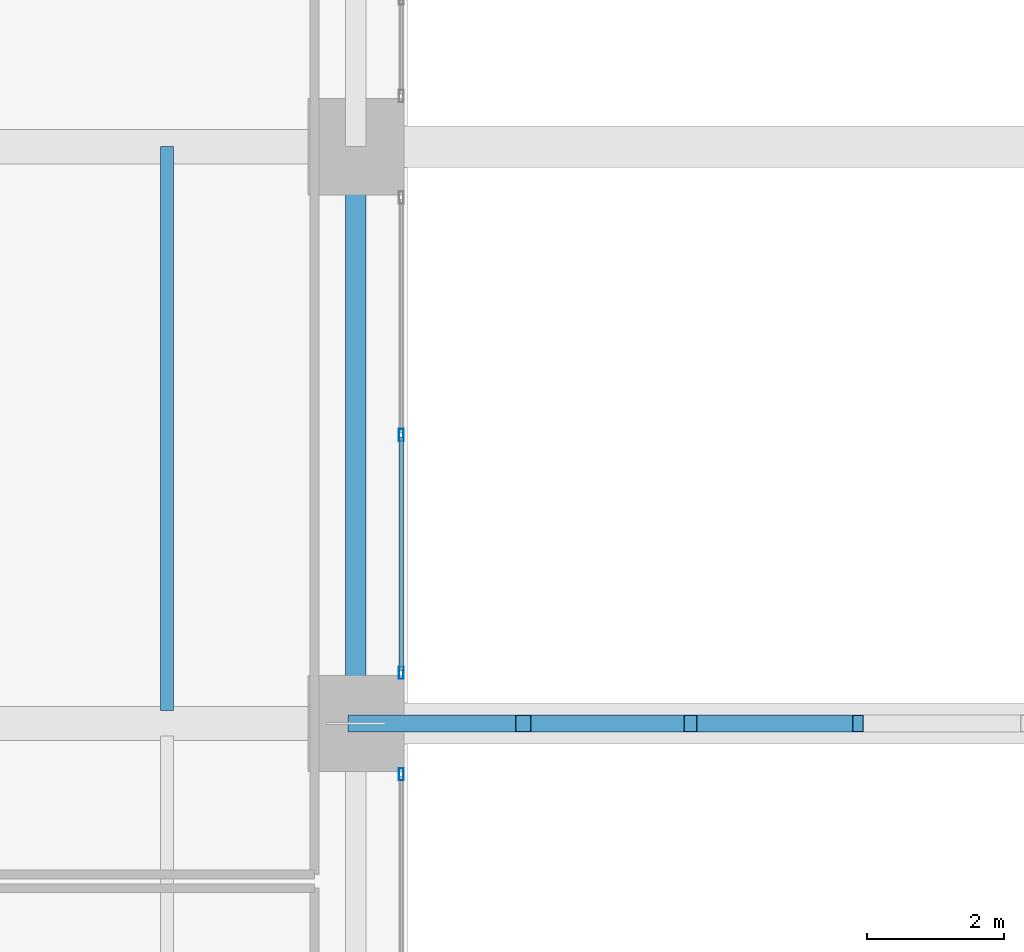
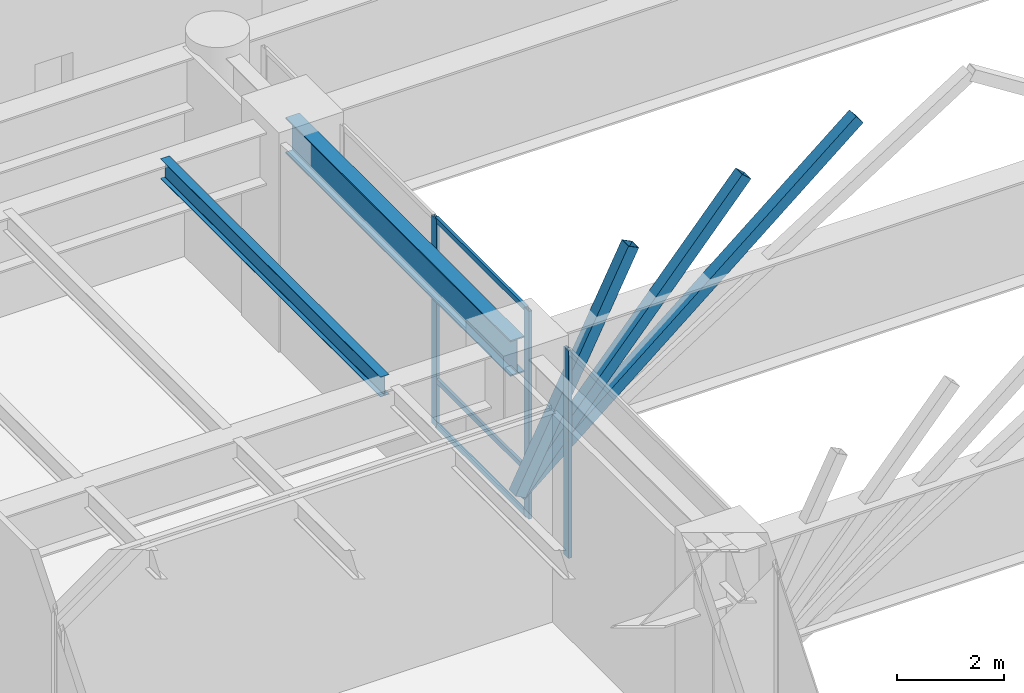
# One storey, part 11 of 39: 9 members, 2 beams, 2 elements without a shape of their own.
"""IFC4 building model written with IfcOpenShell, lengths in metres."""

from ifc_helpers import new_model, si_unit, direction, frame, origin, origin_2d, place, context, subcontext, project, spatial, hollow_rectangle, i_section, extrude, source, transform, mapped, material, layer, layer_set, material_profile, profile_set, type_object, type_shapes, element, aggregate, save


model = new_model("IFC4")

# Units and contexts
model_context = context("Model", 3, precision=1e-05, world=origin(), true_north=direction((0.0, 1.0)))
body_context = subcontext(model_context, "Body", "Model", "MODEL_VIEW")
ifc_project = project(units=[si_unit("LENGTHUNIT", "METRE"), si_unit("AREAUNIT", "SQUARE_METRE"), si_unit("VOLUMEUNIT", "CUBIC_METRE"), si_unit("PLANEANGLEUNIT", "RADIAN"), si_unit("MASSUNIT", "GRAM", prefix="KILO")], contexts=[model_context])

# Site, building, storey
site_placement = place(None, origin())
site = spatial("IfcSite", under=ifc_project, at=site_placement, CompositionType="ELEMENT")
building_placement = place(site_placement, origin())
building = spatial("IfcBuilding", under=site, at=building_placement, Name="Tolvann Quenvar Hotel", CompositionType="ELEMENT")
storey_placement = place(building_placement, frame((0.0, 0.0, 11.0)))
storey = spatial("IfcBuildingStorey", under=building, at=storey_placement, Name="L02", CompositionType="ELEMENT", Elevation=11.0)

# Beams
ifc_material_1 = material(Name="Steel Grade 350", Category="steel")
ifc_material_profile_1 = material_profile(ifc_material_1, i_section(OverallWidth=0.300048828125, OverallDepth=0.81591796875, WebThickness=0.010009765625, FlangeThickness=0.028076171875, at=origin_2d()), Name="800WB192")
ifc_profile_set_1 = profile_set([ifc_material_profile_1], Name="Steel Grade 350")
beam_type_1 = type_object("IfcBeamType", Name="BM_GIRD_800WB192", PredefinedType="BEAM", material=ifc_profile_set_1)
shared_shape_1 = source(origin(), body_context, "Body", "SweptSolid", [
    extrude(i_section(OverallWidth=0.300048828125, OverallDepth=0.81591796875, WebThickness=0.010009765625, FlangeThickness=0.028076171875, at=origin_2d()), origin(), (0.0, 0.0, 1.0), 8.39990234375),
])
type_shapes(beam_type_1, [shared_shape_1])
beam_1_placement = place(storey_placement, frame((18.75, 16.0, 4.33203125), z_axis=(0.0, 1.0, 0.0), x_axis=(-1.0, 0.0, 0.0)))
element("IfcBeam", 1, at=beam_1_placement, inside=storey, type_object=beam_type_1, Name="BM-L02-NS-APW-2", PredefinedType="BEAM", context=body_context, shape_type="MappedRepresentation", body=[
    mapped(shared_shape_1, transform((0.0, 0.0, 0.0), x_axis=(1.0, 0.0, 0.0), y_axis=(0.0, 1.0, 0.0), z_axis=(0.0, 0.0, 1.0), scale=1.0)),
])
ifc_material_profile_2 = material_profile(ifc_material_1, i_section(OverallWidth=0.18994140625, OverallDepth=0.4541015625, WebThickness=0.008544921875, FlangeThickness=0.0126953125, FilletRadius=0.011474609375, at=origin_2d()), Name="460UB67")
ifc_profile_set_2 = profile_set([ifc_material_profile_2], Name="Steel Grade 350")
beam_type_2 = type_object("IfcBeamType", Name="BM_JOIST_460UB67", PredefinedType="JOIST", material=ifc_profile_set_2)
shared_shape_2 = source(origin(), body_context, "Body", "SweptSolid", [
    extrude(i_section(OverallWidth=0.18994140625, OverallDepth=0.4541015625, WebThickness=0.008544921875, FlangeThickness=0.0126953125, FilletRadius=0.011474609375, at=origin_2d()), origin(), (0.0, 0.0, 1.0), 8.21484375),
])
type_shapes(beam_type_2, [shared_shape_2])
beam_2_placement = place(storey_placement, frame((16.0, 16.18505859375, 4.512939453125), z_axis=(0.0, 1.0, 0.0), x_axis=(-1.0, 0.0, 0.0)))
element("IfcBeam", 2, at=beam_2_placement, inside=storey, type_object=beam_type_2, Name="BJ-L02-160-160", PredefinedType="JOIST", context=body_context, shape_type="MappedRepresentation", body=[
    mapped(shared_shape_2, transform((0.0, 0.0, 0.0), x_axis=(1.0, 0.0, 0.0), y_axis=(0.0, 1.0, 0.0), z_axis=(0.0, 0.0, 1.0), scale=1.0)),
])

# Members
ifc_material_2 = material(Name="Steel Grade 450 (C450L0)", Category="steel")
ifc_material_profile_3 = material_profile(ifc_material_2, hollow_rectangle(XDim=0.25, YDim=0.25, WallThickness=0.010009765625, at=origin_2d()), Name="250x250x10SHS")
ifc_profile_set_3 = profile_set([ifc_material_profile_3], Name="Steel Grade 450 (C450L0)")
member_type_1 = type_object("IfcMemberType", Name="MEM_POST_250SHS", PredefinedType="POST", material=ifc_profile_set_3)
shared_shape_3 = source(origin(), body_context, "Body", "SweptSolid", [
    extrude(hollow_rectangle(XDim=0.25, YDim=0.25, WallThickness=0.010009765625, at=origin_2d()), origin(), (0.0, 0.0, 1.0), 5.42822265625),
])
member_1_placement = place(storey_placement, frame((18.75, 16.0, 1.199951171875), z_axis=(0.449047704996, 0.0, 0.893507783199), x_axis=(0.0, 1.0, 0.0)))
element("IfcMember", 3, at=member_1_placement, inside=storey, type_object=member_type_1, Name="Arch Radial Support Strut F3-K1", PredefinedType="POST", context=body_context, shape_type="MappedRepresentation", body=[
    mapped(shared_shape_3, transform((0.0, 0.0, 0.0), x_axis=(1.0, 0.0, 0.0), y_axis=(0.0, 1.0, 0.0), z_axis=(0.0, 0.0, 1.0), scale=1.0)),
])
shared_shape_4 = source(origin(), body_context, "Body", "SweptSolid", [
    extrude(hollow_rectangle(XDim=0.25, YDim=0.25, WallThickness=0.010009765625, at=origin_2d()), origin(), (0.0, 0.0, 1.0), 7.4248046875),
])
member_2_placement = place(storey_placement, frame((18.75, 16.0, 1.199951171875), z_axis=(0.656588918044, 0.0, 0.754248627909), x_axis=(0.0, 1.0, 0.0)))
element("IfcMember", 4, at=member_2_placement, inside=storey, type_object=member_type_1, Name="Arch Radial Support Strut F3-K2", PredefinedType="POST", context=body_context, shape_type="MappedRepresentation", body=[
    mapped(shared_shape_4, transform((0.0, 0.0, 0.0), x_axis=(1.0, 0.0, 0.0), y_axis=(0.0, 1.0, 0.0), z_axis=(0.0, 0.0, 1.0), scale=1.0)),
])
shared_shape_5 = source(origin(), body_context, "Body", "SweptSolid", [
    extrude(hollow_rectangle(XDim=0.25, YDim=0.25, WallThickness=0.010009765625, at=origin_2d()), origin(), (0.0, 0.0, 1.0), 9.49072265625),
])
type_shapes(member_type_1, [shared_shape_3, shared_shape_4, shared_shape_5])
member_3_placement = place(storey_placement, frame((18.75, 16.0, 1.199951171875), z_axis=(0.770481016294, 0.0, 0.637462942868), x_axis=(0.0, 1.0, 0.0)))
element("IfcMember", 5, at=member_3_placement, inside=storey, type_object=member_type_1, Name="Arch Radial Support Strut F3-K3", PredefinedType="POST", context=body_context, shape_type="MappedRepresentation", body=[
    mapped(shared_shape_5, transform((0.0, 0.0, 0.0), x_axis=(1.0, 0.0, 0.0), y_axis=(0.0, 1.0, 0.0), z_axis=(0.0, 0.0, 1.0), scale=1.0)),
])

# Curtain wall, members
ifc_material_3 = material(Name="Thermally broken anodised architectural aluminium 6063-T6 and laminated low-E glass", Category="aluminium")
ifc_layer = layer(ifc_material_3, 0.179931640625)
ifc_layer_set = layer_set([ifc_layer], Name="Thermally broken anodised architectural aluminium 6063-T6 and laminated low-E glass")
curtain_wall_type = type_object("IfcCurtainWallType", Name="CW_SYS_ARCH_01", PredefinedType="USERDEFINED", material=ifc_layer_set)
curtain_wall_1_placement = place(storey_placement, origin())
curtain_wall_1 = element("IfcCurtainWall", 6, at=curtain_wall_1_placement, inside=storey, type_object=curtain_wall_type, Name="Curtain Wall CW-ARCH-01 (CWR-L02-E01-S4)", ObjectType="UNITISED CURTAIN WALL", PredefinedType="USERDEFINED")
ifc_material_4 = material(Name="Anodised architectural aluminium 6063-T6 framing", Category="aluminium")
ifc_material_profile_4 = material_profile(ifc_material_4, hollow_rectangle(XDim=0.06005859375, YDim=0.1201171875, WallThickness=0.00341796875, at=origin_2d()), Name="120x60x3.5RHS")
ifc_profile_set_4 = profile_set([ifc_material_profile_4], Name="Anodised architectural aluminium 6063-T6 framing")
member_type_2 = type_object("IfcMemberType", Name="CW_TRAN_120x60", PredefinedType="USERDEFINED", material=ifc_profile_set_4)
shared_shape_6 = source(origin(), body_context, "Body", "SweptSolid", [
    extrude(hollow_rectangle(XDim=0.06005859375, YDim=0.1201171875, WallThickness=0.00341796875, at=origin_2d()), origin(), (0.0, 0.0, 1.0), 3.39111328125),
])
type_shapes(member_type_2, [shared_shape_6])
member_4_placement = place(storey_placement, frame((19.409912109375, 16.77392578125, 0.030029296875), z_axis=(0.0, 1.0, 0.0), x_axis=(-1.0, 0.0, 0.0)))
member_4 = element("IfcMember", 7, at=member_4_placement, type_object=member_type_2, Name="CW-ARCH-01 transom 1.1", ObjectType="TRANSOM", PredefinedType="USERDEFINED", context=body_context, shape_type="MappedRepresentation", body=[
    mapped(shared_shape_6, transform((0.0, 0.0, 0.0), x_axis=(1.0, 0.0, 0.0), y_axis=(0.0, 1.0, 0.0), z_axis=(0.0, 0.0, 1.0), scale=1.0)),
])
member_5_placement = place(storey_placement, frame((19.409912109375, 16.77392578125, 1.050048828125), z_axis=(0.0, 1.0, 0.0), x_axis=(-1.0, 0.0, 0.0)))
member_5 = element("IfcMember", 8, at=member_5_placement, type_object=member_type_2, Name="CW-ARCH-01 transom 1.2", ObjectType="TRANSOM", PredefinedType="USERDEFINED", context=body_context, shape_type="MappedRepresentation", body=[
    mapped(shared_shape_6, transform((0.0, 0.0, 0.0), x_axis=(1.0, 0.0, 0.0), y_axis=(0.0, 1.0, 0.0), z_axis=(0.0, 0.0, 1.0), scale=1.0)),
])
member_6_placement = place(storey_placement, frame((19.409912109375, 16.77392578125, 4.7099609375), z_axis=(0.0, 1.0, 0.0), x_axis=(-1.0, 0.0, 0.0)))
member_6 = element("IfcMember", 9, at=member_6_placement, type_object=member_type_2, Name="CW-ARCH-01 transom 1.3", ObjectType="TRANSOM", PredefinedType="USERDEFINED", context=body_context, shape_type="MappedRepresentation", body=[
    mapped(shared_shape_6, transform((0.0, 0.0, 0.0), x_axis=(1.0, 0.0, 0.0), y_axis=(0.0, 1.0, 0.0), z_axis=(0.0, 0.0, 1.0), scale=1.0)),
])

# Curtain wall, member
curtain_wall_2_placement = place(storey_placement, origin())
curtain_wall_2 = element("IfcCurtainWall", 10, at=curtain_wall_2_placement, inside=storey, type_object=curtain_wall_type, Name="Curtain Wall CW-ARCH-01 (CWR-L02-E01-S3)", ObjectType="UNITISED CURTAIN WALL", PredefinedType="USERDEFINED")
ifc_material_profile_5 = material_profile(ifc_material_4, hollow_rectangle(XDim=0.070068359375, YDim=0.179931640625, WallThickness=0.00390625, at=origin_2d()), Name="180x70x4RHS")
ifc_profile_set_5 = profile_set([ifc_material_profile_5], Name="Anodised architectural aluminium 6063-T6 framing")
member_type_3 = type_object("IfcMemberType", Name="CW_MULL_180x70", PredefinedType="MULLION", material=ifc_profile_set_5)
shared_shape_7 = source(origin(), body_context, "Body", "SweptSolid", [
    extrude(hollow_rectangle(XDim=0.070068359375, YDim=0.179931640625, WallThickness=0.00390625, at=origin_2d()), origin(), (0.0, 0.0, 1.0), 4.739990234375),
])
type_shapes(member_type_3, [shared_shape_7])
member_7_placement = place(storey_placement, frame((19.409912109375, 15.260986328125, 0.0), z_axis=(0.0, 0.0, 1.0), x_axis=(-1.0, 0.0, 0.0)))
member_7 = element("IfcMember", 11, at=member_7_placement, type_object=member_type_3, Name="CW-ARCH-01 mullion 2", PredefinedType="MULLION", context=body_context, shape_type="MappedRepresentation", body=[
    mapped(shared_shape_7, transform((0.0, 0.0, 0.0), x_axis=(1.0, 0.0, 0.0), y_axis=(0.0, 1.0, 0.0), z_axis=(0.0, 0.0, 1.0), scale=1.0)),
])
aggregate(curtain_wall_2, [member_7])

# Member
member_8_placement = place(storey_placement, frame((19.409912109375, 16.739013671875, 0.0), z_axis=(0.0, 0.0, 1.0), x_axis=(-1.0, 0.0, 0.0)))
member_8 = element("IfcMember", 12, at=member_8_placement, type_object=member_type_3, Name="CW-ARCH-01 mullion 1", PredefinedType="MULLION", context=body_context, shape_type="MappedRepresentation", body=[
    mapped(shared_shape_7, transform((0.0, 0.0, 0.0), x_axis=(1.0, 0.0, 0.0), y_axis=(0.0, 1.0, 0.0), z_axis=(0.0, 0.0, 1.0), scale=1.0)),
])

member_9_placement = place(storey_placement, frame((19.409912109375, 20.199951171875, 0.0), z_axis=(0.0, 0.0, 1.0), x_axis=(-1.0, 0.0, 0.0)))
member_9 = element("IfcMember", 13, at=member_9_placement, type_object=member_type_3, Name="CW-ARCH-01 mullion 2", PredefinedType="MULLION", context=body_context, shape_type="MappedRepresentation", body=[
    mapped(shared_shape_7, transform((0.0, 0.0, 0.0), x_axis=(1.0, 0.0, 0.0), y_axis=(0.0, 1.0, 0.0), z_axis=(0.0, 0.0, 1.0), scale=1.0)),
])

aggregate(curtain_wall_1, [member_8, member_9, member_4, member_5, member_6])

save(model, "model.ifc")
